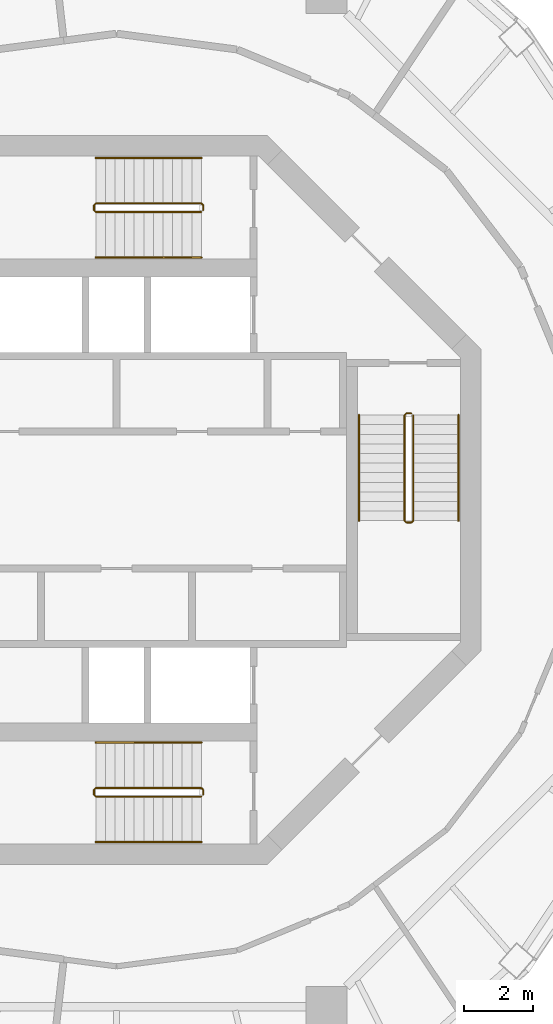
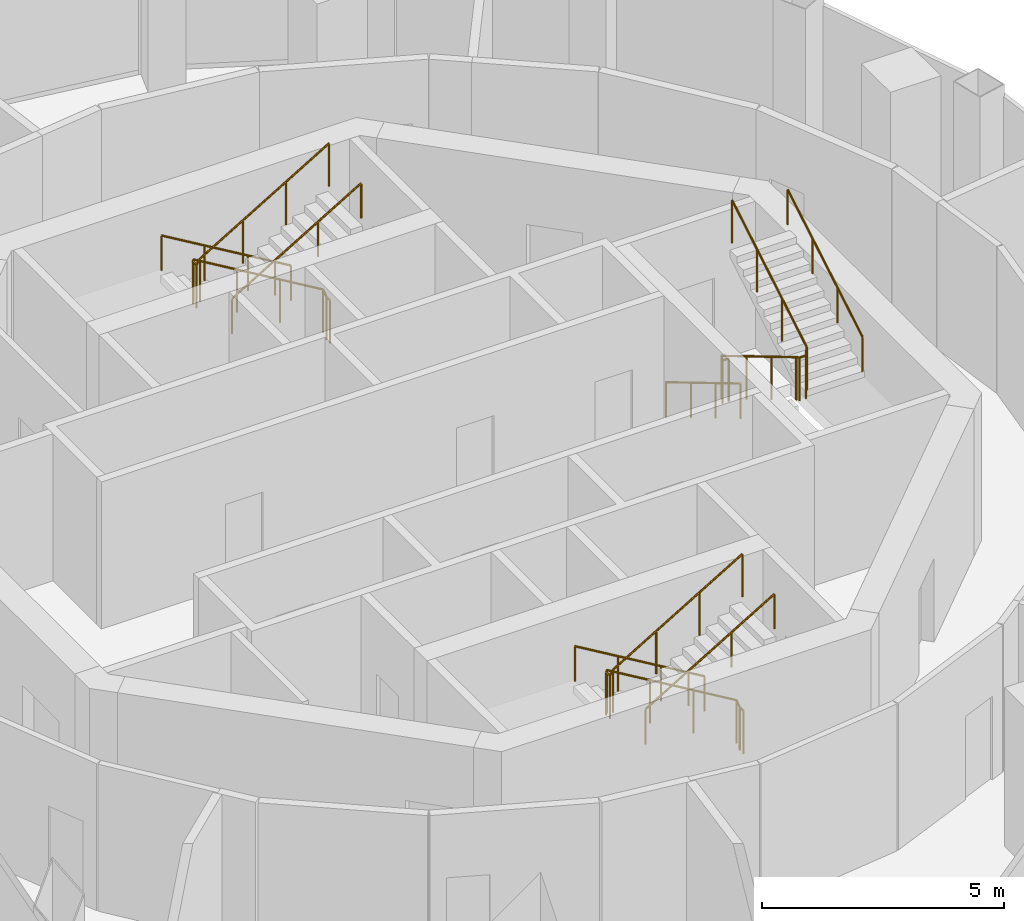
# One storey, part 11 of 11: 9 railings.
"""IFC4 building model written with IfcOpenShell, lengths in metres."""

from ifc_helpers import new_model, si_unit, direction, frame, origin, origin_2d, place, context, subcontext, project, spatial, circle, extrude, material, type_object, element, save


model = new_model("IFC4")

# Units and contexts
model_context = context("Model", 3, precision=1e-05, world=origin(), true_north=direction((0.0, 1.0)))
body_context = subcontext(model_context, "Body", "Model", "MODEL_VIEW")
ifc_project = project(units=[si_unit("LENGTHUNIT", "METRE"), si_unit("AREAUNIT", "SQUARE_METRE"), si_unit("VOLUMEUNIT", "CUBIC_METRE"), si_unit("PLANEANGLEUNIT", "RADIAN"), si_unit("MASSUNIT", "GRAM", prefix="KILO")], contexts=[model_context])

# Site, building, storey
site_placement = place(None, origin())
site = spatial("IfcSite", under=ifc_project, at=site_placement, CompositionType="ELEMENT")
building_placement = place(site_placement, origin())
building = spatial("IfcBuilding", under=site, at=building_placement, Name="Nagisa Residences", CompositionType="ELEMENT")
storey_placement = place(building_placement, frame((0.0, 0.0, 332.89990234375)))
storey = spatial("IfcBuildingStorey", under=building, at=storey_placement, Name="L82", CompositionType="ELEMENT", Elevation=332.89990234375)

# Railings
ifc_material_1 = material(Name="Stainless steel", Category="steel")
railing_type_1 = type_object("IfcRailingType", Name="Stair guard 1100", PredefinedType="GUARDRAIL", material=ifc_material_1)
railing_1_placement = place(storey_placement, frame((8.599609375, 2.52490234375, 0.0)))
element("IfcRailing", 1, at=railing_1_placement, inside=storey, type_object=railing_type_1, Name="L82 ST-E stair guard 1", PredefinedType="GUARDRAIL", context=body_context, shape_type="SweptSolid", body=[
    extrude(circle(Radius=0.02392578125, at=origin_2d()), frame((0.0, 0.0, 1.076171875), z_axis=(-1.0, 0.0, 0.0), x_axis=(0.0, -1.0, 0.0)), (0.0, 0.0, 1.0), 0.14990234375),
    extrude(circle(Radius=0.02392578125, at=origin_2d()), frame((-0.14990234375, 0.0, 1.076171875), z_axis=(-0.276389281352, -0.275041040955, 0.920848191041), x_axis=(0.705375805398, -0.708833529934, 0.0)), (0.0, 0.0, 1.0), 0.18115234375),
    extrude(circle(Radius=0.02392578125, at=origin_2d()), frame((-0.199951171875, -0.0498046875, 1.24267578125), z_axis=(0.0, -0.859308565015, 0.511457515432), x_axis=(1.0, 0.0, 0.0)), (0.0, 0.0, 1.0), 3.58447265625),
    extrude(circle(Radius=0.02392578125, at=origin_2d()), frame((-0.199951171875, -3.1298828125, 3.076171875), z_axis=(0.707106781187, -0.707106781187, 0.0), x_axis=(0.707106781187, 0.707106781187, 0.0)), (0.0, 0.0, 1.0), 0.07080078125),
    extrude(circle(Radius=0.02392578125, at=origin_2d()), frame((-0.14990234375, -3.179931640625, 3.076171875), z_axis=(1.0, 0.0, 0.0), x_axis=(0.0, 1.0, 0.0)), (0.0, 0.0, 1.0), 0.14990234375),
    extrude(circle(Radius=0.02392578125, at=origin_2d()), frame((0.0, -3.179931640625, 3.076171875), z_axis=(0.27628659633, 0.27628659633, 0.920506074601), x_axis=(-0.707106781187, 0.707106781187, 0.0)), (0.0, 0.0, 1.0), 0.18115234375),
    extrude(circle(Radius=0.02392578125, at=origin_2d()), frame((0.050048828125, -3.1298828125, 3.24267578125), z_axis=(0.0, 0.859308565015, 0.511457515432), x_axis=(-1.0, 0.0, 0.0)), (0.0, 0.0, 1.0), 3.58447265625),
    extrude(circle(Radius=0.02099609375, at=origin_2d()), origin(), (0.0, 0.0, 1.0), 1.052001953125),
    extrude(circle(Radius=0.02099609375, at=origin_2d()), frame((-0.14990234375, 0.0, 0.0)), (0.0, 0.0, 1.0), 1.052001953125),
    extrude(circle(Radius=0.02099609375, at=origin_2d()), frame((-0.199951171875, -0.0498046875, 0.166748046875)), (0.0, 0.0, 1.0), 1.052001953125),
    extrude(circle(Radius=0.02099609375, at=origin_2d()), frame((-0.199951171875, -1.076416015625, 0.77783203125)), (0.0, 0.0, 1.0), 1.052001953125),
    extrude(circle(Radius=0.02099609375, at=origin_2d()), frame((-0.199951171875, -2.103271484375, 1.388916015625)), (0.0, 0.0, 1.0), 1.052001953125),
    extrude(circle(Radius=0.02099609375, at=origin_2d()), frame((-0.199951171875, -3.1298828125, 2.0)), (0.0, 0.0, 1.0), 1.052001953125),
    extrude(circle(Radius=0.02099609375, at=origin_2d()), frame((-0.14990234375, -3.179931640625, 2.0)), (0.0, 0.0, 1.0), 1.052001953125),
    extrude(circle(Radius=0.02099609375, at=origin_2d()), frame((0.0, -3.179931640625, 2.0)), (0.0, 0.0, 1.0), 1.052001953125),
    extrude(circle(Radius=0.02099609375, at=origin_2d()), frame((0.050048828125, -3.1298828125, 2.166748046875)), (0.0, 0.0, 1.0), 1.052001953125),
    extrude(circle(Radius=0.02099609375, at=origin_2d()), frame((0.050048828125, -2.103271484375, 2.77783203125)), (0.0, 0.0, 1.0), 1.052001953125),
    extrude(circle(Radius=0.02099609375, at=origin_2d()), frame((0.050048828125, -1.076416015625, 3.388916015625)), (0.0, 0.0, 1.0), 1.052001953125),
    extrude(circle(Radius=0.02099609375, at=origin_2d()), frame((0.050048828125, -0.0498046875, 4.0)), (0.0, 0.0, 1.0), 1.052001953125),
])
railing_2_placement = place(storey_placement, frame((2.52490234375, 8.44970703125, 0.0)))
element("IfcRailing", 2, at=railing_2_placement, inside=storey, type_object=railing_type_1, Name="L82 ST-N stair guard 1", PredefinedType="GUARDRAIL", context=body_context, shape_type="SweptSolid", body=[
    extrude(circle(Radius=0.02392578125, at=origin_2d()), frame((0.0, 0.0, 1.076171875), z_axis=(0.0, 1.0, 0.0), x_axis=(-1.0, 0.0, 0.0)), (0.0, 0.0, 1.0), 0.14990234375),
    extrude(circle(Radius=0.02392578125, at=origin_2d()), frame((0.0, 0.14990234375, 1.076171875), z_axis=(-0.275041040955, 0.276389281352, 0.920848191041), x_axis=(-0.708833529934, -0.705375805398, 0.0)), (0.0, 0.0, 1.0), 0.18115234375),
    extrude(circle(Radius=0.02392578125, at=origin_2d()), frame((-0.0498046875, 0.199951171875, 1.24267578125), z_axis=(-0.859308565015, 0.0, 0.511457515432), x_axis=(0.0, -1.0, 0.0)), (0.0, 0.0, 1.0), 3.58447265625),
    extrude(circle(Radius=0.02392578125, at=origin_2d()), frame((-3.1298828125, 0.199951171875, 3.076171875), z_axis=(-0.707106781187, -0.707106781187, 0.0), x_axis=(0.707106781187, -0.707106781187, 0.0)), (0.0, 0.0, 1.0), 0.07080078125),
    extrude(circle(Radius=0.02392578125, at=origin_2d()), frame((-3.179931640625, 0.14990234375, 3.076171875), z_axis=(0.0, -1.0, 0.0), x_axis=(1.0, 0.0, 0.0)), (0.0, 0.0, 1.0), 0.14990234375),
    extrude(circle(Radius=0.02392578125, at=origin_2d()), frame((-3.179931640625, 0.0, 3.076171875), z_axis=(0.27628659633, -0.27628659633, 0.920506074601), x_axis=(0.707106781187, 0.707106781187, 0.0)), (0.0, 0.0, 1.0), 0.18115234375),
    extrude(circle(Radius=0.02392578125, at=origin_2d()), frame((-3.1298828125, -0.050048828125, 3.24267578125), z_axis=(0.859308565015, 0.0, 0.511457515432), x_axis=(0.0, 1.0, 0.0)), (0.0, 0.0, 1.0), 3.58447265625),
    extrude(circle(Radius=0.02099609375, at=origin_2d()), origin(), (0.0, 0.0, 1.0), 1.052001953125),
    extrude(circle(Radius=0.02099609375, at=origin_2d()), frame((0.0, 0.14990234375, 0.0)), (0.0, 0.0, 1.0), 1.052001953125),
    extrude(circle(Radius=0.02099609375, at=origin_2d()), frame((-0.0498046875, 0.199951171875, 0.166748046875)), (0.0, 0.0, 1.0), 1.052001953125),
    extrude(circle(Radius=0.02099609375, at=origin_2d()), frame((-1.076416015625, 0.199951171875, 0.77783203125)), (0.0, 0.0, 1.0), 1.052001953125),
    extrude(circle(Radius=0.02099609375, at=origin_2d()), frame((-2.103271484375, 0.199951171875, 1.388916015625)), (0.0, 0.0, 1.0), 1.052001953125),
    extrude(circle(Radius=0.02099609375, at=origin_2d()), frame((-3.1298828125, 0.199951171875, 2.0)), (0.0, 0.0, 1.0), 1.052001953125),
    extrude(circle(Radius=0.02099609375, at=origin_2d()), frame((-3.179931640625, 0.14990234375, 2.0)), (0.0, 0.0, 1.0), 1.052001953125),
    extrude(circle(Radius=0.02099609375, at=origin_2d()), frame((-3.179931640625, 0.0, 2.0)), (0.0, 0.0, 1.0), 1.052001953125),
    extrude(circle(Radius=0.02099609375, at=origin_2d()), frame((-3.1298828125, -0.050048828125, 2.166748046875)), (0.0, 0.0, 1.0), 1.052001953125),
    extrude(circle(Radius=0.02099609375, at=origin_2d()), frame((-2.103271484375, -0.050048828125, 2.77783203125)), (0.0, 0.0, 1.0), 1.052001953125),
    extrude(circle(Radius=0.02099609375, at=origin_2d()), frame((-1.076416015625, -0.050048828125, 3.388916015625)), (0.0, 0.0, 1.0), 1.052001953125),
    extrude(circle(Radius=0.02099609375, at=origin_2d()), frame((-0.0498046875, -0.050048828125, 4.0)), (0.0, 0.0, 1.0), 1.052001953125),
])
railing_3_placement = place(storey_placement, frame((2.52490234375, -8.599609375, 0.0)))
element("IfcRailing", 3, at=railing_3_placement, inside=storey, type_object=railing_type_1, Name="L82 ST-S stair guard 1", PredefinedType="GUARDRAIL", context=body_context, shape_type="SweptSolid", body=[
    extrude(circle(Radius=0.02392578125, at=origin_2d()), frame((0.0, 0.0, 1.076171875), z_axis=(0.0, 1.0, 0.0), x_axis=(-1.0, 0.0, 0.0)), (0.0, 0.0, 1.0), 0.14990234375),
    extrude(circle(Radius=0.02392578125, at=origin_2d()), frame((0.0, 0.14990234375, 1.076171875), z_axis=(-0.275041040955, 0.276389281352, 0.920848191041), x_axis=(-0.708833529934, -0.705375805398, 0.0)), (0.0, 0.0, 1.0), 0.18115234375),
    extrude(circle(Radius=0.02392578125, at=origin_2d()), frame((-0.0498046875, 0.199951171875, 1.24267578125), z_axis=(-0.859308565015, 0.0, 0.511457515432), x_axis=(0.0, -1.0, 0.0)), (0.0, 0.0, 1.0), 3.58447265625),
    extrude(circle(Radius=0.02392578125, at=origin_2d()), frame((-3.1298828125, 0.199951171875, 3.076171875), z_axis=(-0.707106781187, -0.707106781187, 0.0), x_axis=(0.707106781187, -0.707106781187, 0.0)), (0.0, 0.0, 1.0), 0.07080078125),
    extrude(circle(Radius=0.02392578125, at=origin_2d()), frame((-3.179931640625, 0.14990234375, 3.076171875), z_axis=(0.0, -1.0, 0.0), x_axis=(1.0, 0.0, 0.0)), (0.0, 0.0, 1.0), 0.14990234375),
    extrude(circle(Radius=0.02392578125, at=origin_2d()), frame((-3.179931640625, 0.0, 3.076171875), z_axis=(0.27628659633, -0.27628659633, 0.920506074601), x_axis=(0.707106781187, 0.707106781187, 0.0)), (0.0, 0.0, 1.0), 0.18115234375),
    extrude(circle(Radius=0.02392578125, at=origin_2d()), frame((-3.1298828125, -0.050048828125, 3.24267578125), z_axis=(0.859308565015, 0.0, 0.511457515432), x_axis=(0.0, 1.0, 0.0)), (0.0, 0.0, 1.0), 3.58447265625),
    extrude(circle(Radius=0.02099609375, at=origin_2d()), origin(), (0.0, 0.0, 1.0), 1.052001953125),
    extrude(circle(Radius=0.02099609375, at=origin_2d()), frame((0.0, 0.14990234375, 0.0)), (0.0, 0.0, 1.0), 1.052001953125),
    extrude(circle(Radius=0.02099609375, at=origin_2d()), frame((-0.0498046875, 0.199951171875, 0.166748046875)), (0.0, 0.0, 1.0), 1.052001953125),
    extrude(circle(Radius=0.02099609375, at=origin_2d()), frame((-1.076416015625, 0.199951171875, 0.77783203125)), (0.0, 0.0, 1.0), 1.052001953125),
    extrude(circle(Radius=0.02099609375, at=origin_2d()), frame((-2.103271484375, 0.199951171875, 1.388916015625)), (0.0, 0.0, 1.0), 1.052001953125),
    extrude(circle(Radius=0.02099609375, at=origin_2d()), frame((-3.1298828125, 0.199951171875, 2.0)), (0.0, 0.0, 1.0), 1.052001953125),
    extrude(circle(Radius=0.02099609375, at=origin_2d()), frame((-3.179931640625, 0.14990234375, 2.0)), (0.0, 0.0, 1.0), 1.052001953125),
    extrude(circle(Radius=0.02099609375, at=origin_2d()), frame((-3.179931640625, 0.0, 2.0)), (0.0, 0.0, 1.0), 1.052001953125),
    extrude(circle(Radius=0.02099609375, at=origin_2d()), frame((-3.1298828125, -0.050048828125, 2.166748046875)), (0.0, 0.0, 1.0), 1.052001953125),
    extrude(circle(Radius=0.02099609375, at=origin_2d()), frame((-2.103271484375, -0.050048828125, 2.77783203125)), (0.0, 0.0, 1.0), 1.052001953125),
    extrude(circle(Radius=0.02099609375, at=origin_2d()), frame((-1.076416015625, -0.050048828125, 3.388916015625)), (0.0, 0.0, 1.0), 1.052001953125),
    extrude(circle(Radius=0.02099609375, at=origin_2d()), frame((-0.0498046875, -0.050048828125, 4.0)), (0.0, 0.0, 1.0), 1.052001953125),
])
ifc_material_2 = material(Name="Stainless steel", Category="steel")
railing_type_2 = type_object("IfcRailingType", Name="Stair handrail 900", PredefinedType="HANDRAIL", material=ifc_material_2)
railing_4_placement = place(storey_placement, frame((7.07470703125, 2.47509765625, 0.166748046875)))
element("IfcRailing", 4, at=railing_4_placement, inside=storey, type_object=railing_type_2, Name="L82 ST-E stair handrail 1", PredefinedType="HANDRAIL", context=body_context, shape_type="SweptSolid", body=[
    extrude(circle(Radius=0.02392578125, at=origin_2d()), frame((0.0, 0.0, 0.8759765625), z_axis=(0.0, -0.859308565015, 0.511457515432), x_axis=(1.0, 0.0, 0.0)), (0.0, 0.0, 1.0), 3.58447265625),
    extrude(circle(Radius=0.02099609375, at=origin_2d()), origin(), (0.0, 0.0, 1.0), 0.851806640625),
    extrude(circle(Radius=0.02099609375, at=origin_2d()), frame((0.0, -1.026611328125, 0.611083984375)), (0.0, 0.0, 1.0), 0.851806640625),
    extrude(circle(Radius=0.02099609375, at=origin_2d()), frame((0.0, -2.053466796875, 1.22216796875)), (0.0, 0.0, 1.0), 0.851806640625),
    extrude(circle(Radius=0.02099609375, at=origin_2d()), frame((0.0, -3.080078125, 1.833251953125)), (0.0, 0.0, 1.0), 0.851806640625),
])
railing_5_placement = place(storey_placement, frame((9.974609375, -0.60498046875, 2.166748046875)))
element("IfcRailing", 5, at=railing_5_placement, inside=storey, type_object=railing_type_2, Name="L82 ST-E stair handrail 2", PredefinedType="HANDRAIL", context=body_context, shape_type="SweptSolid", body=[
    extrude(circle(Radius=0.02392578125, at=origin_2d()), frame((0.0, 0.0, 0.8759765625), z_axis=(0.0, 0.859308565015, 0.511457515432), x_axis=(-1.0, 0.0, 0.0)), (0.0, 0.0, 1.0), 3.58447265625),
    extrude(circle(Radius=0.02099609375, at=origin_2d()), origin(), (0.0, 0.0, 1.0), 0.851806640625),
    extrude(circle(Radius=0.02099609375, at=origin_2d()), frame((0.0, 1.026611328125, 0.611083984375)), (0.0, 0.0, 1.0), 0.851806640625),
    extrude(circle(Radius=0.02099609375, at=origin_2d()), frame((0.0, 2.053466796875, 1.22216796875)), (0.0, 0.0, 1.0), 0.851806640625),
    extrude(circle(Radius=0.02099609375, at=origin_2d()), frame((0.0, 3.080078125, 1.833251953125)), (0.0, 0.0, 1.0), 0.851806640625),
])
railing_6_placement = place(storey_placement, frame((2.47509765625, 9.974609375, 0.166748046875)))
element("IfcRailing", 6, at=railing_6_placement, inside=storey, type_object=railing_type_2, Name="L82 ST-N stair handrail 1", PredefinedType="HANDRAIL", context=body_context, shape_type="SweptSolid", body=[
    extrude(circle(Radius=0.02392578125, at=origin_2d()), frame((0.0, 0.0, 0.8759765625), z_axis=(-0.859308565015, 0.0, 0.511457515432), x_axis=(0.0, -1.0, 0.0)), (0.0, 0.0, 1.0), 3.58447265625),
    extrude(circle(Radius=0.02099609375, at=origin_2d()), origin(), (0.0, 0.0, 1.0), 0.851806640625),
    extrude(circle(Radius=0.02099609375, at=origin_2d()), frame((-1.026611328125, 0.0, 0.611083984375)), (0.0, 0.0, 1.0), 0.851806640625),
    extrude(circle(Radius=0.02099609375, at=origin_2d()), frame((-2.053466796875, 0.0, 1.22216796875)), (0.0, 0.0, 1.0), 0.851806640625),
    extrude(circle(Radius=0.02099609375, at=origin_2d()), frame((-3.080078125, 0.0, 1.833251953125)), (0.0, 0.0, 1.0), 0.851806640625),
])
railing_7_placement = place(storey_placement, frame((-0.60498046875, 7.07470703125, 2.166748046875)))
element("IfcRailing", 7, at=railing_7_placement, inside=storey, type_object=railing_type_2, Name="L82 ST-N stair handrail 2", PredefinedType="HANDRAIL", context=body_context, shape_type="SweptSolid", body=[
    extrude(circle(Radius=0.02392578125, at=origin_2d()), frame((0.0, 0.0, 0.8759765625), z_axis=(0.859308565015, 0.0, 0.511457515432), x_axis=(0.0, 1.0, 0.0)), (0.0, 0.0, 1.0), 3.58447265625),
    extrude(circle(Radius=0.02099609375, at=origin_2d()), origin(), (0.0, 0.0, 1.0), 0.851806640625),
    extrude(circle(Radius=0.02099609375, at=origin_2d()), frame((1.026611328125, 0.0, 0.611083984375)), (0.0, 0.0, 1.0), 0.851806640625),
    extrude(circle(Radius=0.02099609375, at=origin_2d()), frame((2.053466796875, 0.0, 1.22216796875)), (0.0, 0.0, 1.0), 0.851806640625),
    extrude(circle(Radius=0.02099609375, at=origin_2d()), frame((3.080078125, 0.0, 1.833251953125)), (0.0, 0.0, 1.0), 0.851806640625),
])
railing_8_placement = place(storey_placement, frame((2.47509765625, -7.07470703125, 0.166748046875)))
element("IfcRailing", 8, at=railing_8_placement, inside=storey, type_object=railing_type_2, Name="L82 ST-S stair handrail 1", PredefinedType="HANDRAIL", context=body_context, shape_type="SweptSolid", body=[
    extrude(circle(Radius=0.02392578125, at=origin_2d()), frame((0.0, 0.0, 0.8759765625), z_axis=(-0.859308565015, 0.0, 0.511457515432), x_axis=(0.0, -1.0, 0.0)), (0.0, 0.0, 1.0), 3.58447265625),
    extrude(circle(Radius=0.02099609375, at=origin_2d()), origin(), (0.0, 0.0, 1.0), 0.851806640625),
    extrude(circle(Radius=0.02099609375, at=origin_2d()), frame((-1.026611328125, 0.0, 0.611083984375)), (0.0, 0.0, 1.0), 0.851806640625),
    extrude(circle(Radius=0.02099609375, at=origin_2d()), frame((-2.053466796875, 0.0, 1.22216796875)), (0.0, 0.0, 1.0), 0.851806640625),
    extrude(circle(Radius=0.02099609375, at=origin_2d()), frame((-3.080078125, 0.0, 1.833251953125)), (0.0, 0.0, 1.0), 0.851806640625),
])
railing_9_placement = place(storey_placement, frame((-0.60498046875, -9.974609375, 2.166748046875)))
element("IfcRailing", 9, at=railing_9_placement, inside=storey, type_object=railing_type_2, Name="L82 ST-S stair handrail 2", PredefinedType="HANDRAIL", context=body_context, shape_type="SweptSolid", body=[
    extrude(circle(Radius=0.02392578125, at=origin_2d()), frame((0.0, 0.0, 0.8759765625), z_axis=(0.859308565015, 0.0, 0.511457515432), x_axis=(0.0, 1.0, 0.0)), (0.0, 0.0, 1.0), 3.58447265625),
    extrude(circle(Radius=0.02099609375, at=origin_2d()), origin(), (0.0, 0.0, 1.0), 0.851806640625),
    extrude(circle(Radius=0.02099609375, at=origin_2d()), frame((1.026611328125, 0.0, 0.611083984375)), (0.0, 0.0, 1.0), 0.851806640625),
    extrude(circle(Radius=0.02099609375, at=origin_2d()), frame((2.053466796875, 0.0, 1.22216796875)), (0.0, 0.0, 1.0), 0.851806640625),
    extrude(circle(Radius=0.02099609375, at=origin_2d()), frame((3.080078125, 0.0, 1.833251953125)), (0.0, 0.0, 1.0), 0.851806640625),
])

save(model, "model.ifc")
